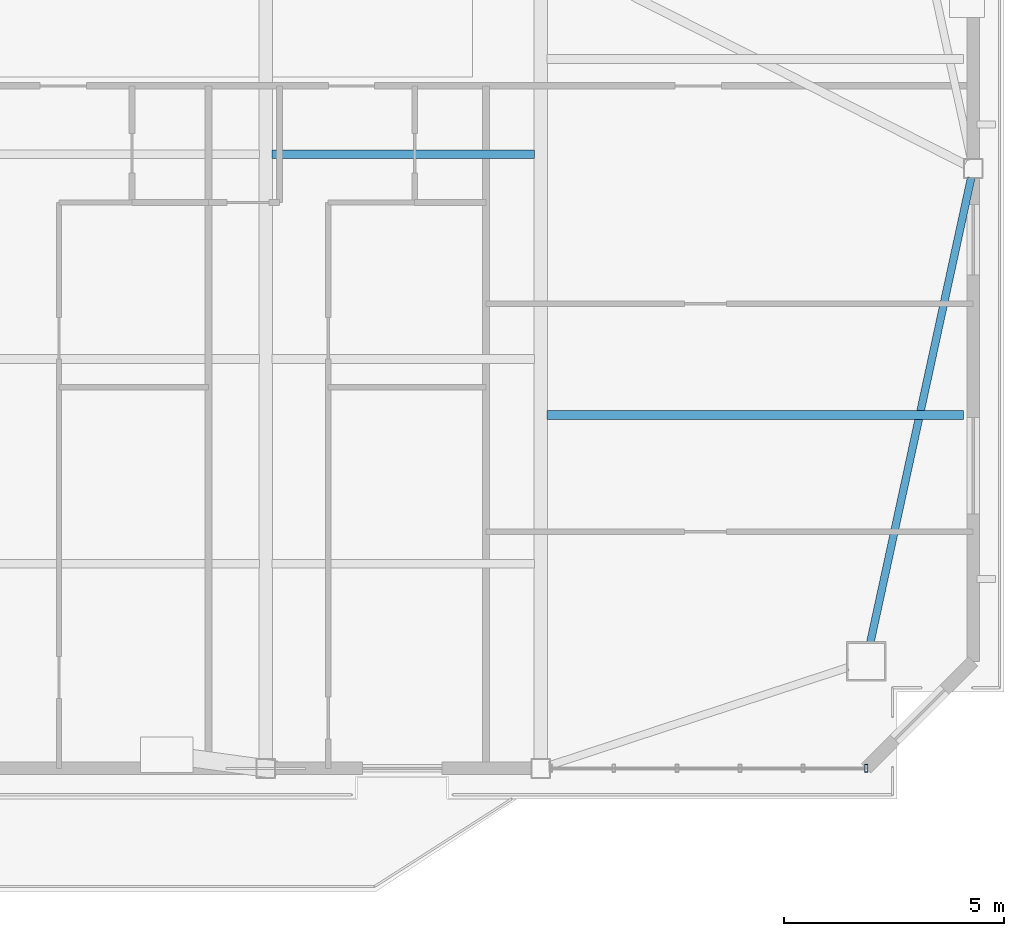
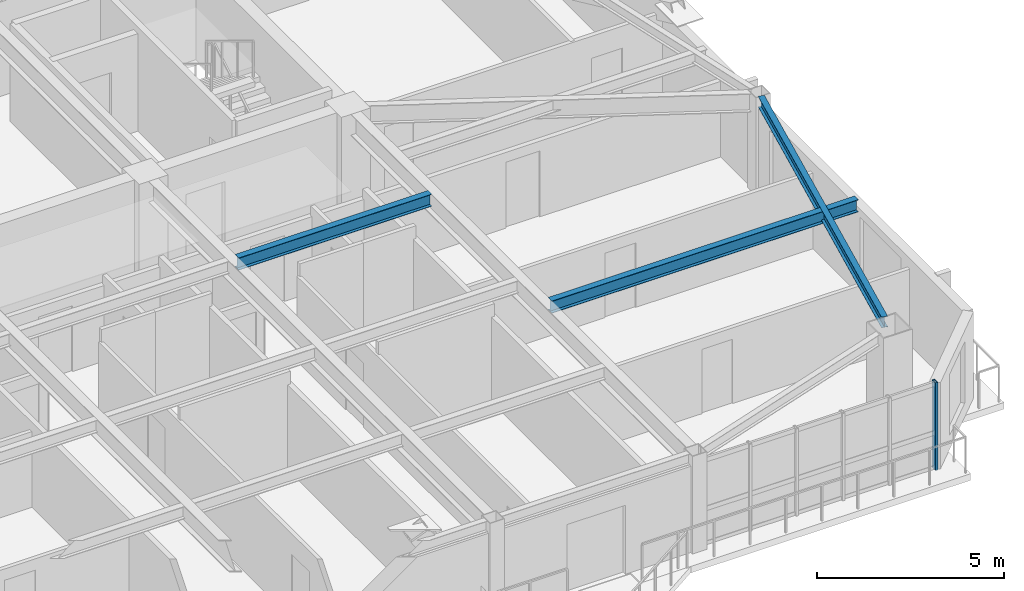
# One storey, part 5 of 15: 3 beams, 1 member, 1 element without a shape of its own.
"""IFC4 building model written with IfcOpenShell, lengths in metres."""

from ifc_helpers import new_model, si_unit, direction, frame, origin, origin_2d, place, context, subcontext, project, spatial, hollow_rectangle, i_section, extrude, source, transform, mapped, material, layer, layer_set, material_profile, profile_set, type_object, element, aggregate, save


model = new_model("IFC4")

# Units and contexts
model_context = context("Model", 3, precision=1e-05, world=origin(), true_north=direction((0.0, 1.0)))
body_context = subcontext(model_context, "Body", "Model", "MODEL_VIEW")
ifc_project = project(units=[si_unit("LENGTHUNIT", "METRE"), si_unit("AREAUNIT", "SQUARE_METRE"), si_unit("VOLUMEUNIT", "CUBIC_METRE"), si_unit("PLANEANGLEUNIT", "RADIAN"), si_unit("MASSUNIT", "GRAM", prefix="KILO")], contexts=[model_context])

# Site, building, storey
site_placement = place(None, origin())
site = spatial("IfcSite", under=ifc_project, at=site_placement, CompositionType="ELEMENT")
building_placement = place(site_placement, origin())
building = spatial("IfcBuilding", under=site, at=building_placement, Name="Giltprow Tower", CompositionType="ELEMENT")
storey_placement = place(building_placement, frame((0.0, 0.0, 293.800048828125)))
storey = spatial("IfcBuildingStorey", under=building, at=storey_placement, Name="L75", CompositionType="ELEMENT", Elevation=293.800048828125)

# Beams
ifc_material_1 = material(Name="Structural steel Q355B", Category="steel")
ifc_material_profile_1 = material_profile(ifc_material_1, i_section(OverallWidth=0.199951171875, OverallDepth=0.39990234375, WebThickness=0.008056640625, FlangeThickness=0.012939453125, at=origin_2d()), Name="HN 400x200x8x13")
ifc_profile_set_1 = profile_set([ifc_material_profile_1], Name="Structural steel Q355B")
beam_type_1 = type_object("IfcBeamType", Name="BM-JOIST-HN400", PredefinedType="JOIST", material=ifc_profile_set_1)
shared_shape_1 = source(origin(), body_context, "Body", "SweptSolid", [
    extrude(i_section(OverallWidth=0.199951171875, OverallDepth=0.39990234375, WebThickness=0.008056640625, FlangeThickness=0.012939453125, at=origin_2d()), origin(), (0.0, 0.0, 1.0), 5.9599609375),
])
beam_1_placement = place(storey_placement, frame((44.445068359375, 32.798095703125, 2.98486328125), z_axis=(1.0, 0.0, 0.0), x_axis=(0.0, 1.0, 0.0)))
element("IfcBeam", 1, at=beam_1_placement, inside=storey, type_object=beam_type_1, Name="L75 Composite Floor Joist 3-4", PredefinedType="JOIST", context=body_context, shape_type="MappedRepresentation", body=[
    mapped(shared_shape_1, transform((0.0, 0.0, 0.0), x_axis=(1.0, 0.0, 0.0), y_axis=(0.0, 1.0, 0.0), z_axis=(0.0, 0.0, 1.0), scale=1.0)),
])
ifc_material_profile_2 = material_profile(ifc_material_1, i_section(OverallWidth=0.175048828125, OverallDepth=0.35009765625, WebThickness=0.007080078125, FlangeThickness=0.010986328125, at=origin_2d()), Name="HN 350x175x7x11")
ifc_profile_set_2 = profile_set([ifc_material_profile_2], Name="Structural steel Q355B")
beam_type_2 = type_object("IfcBeamType", Name="BM-SPAN-HN350", PredefinedType="SPANDREL", material=ifc_profile_set_2)
shared_shape_2 = source(origin(), body_context, "Body", "SweptSolid", [
    extrude(i_section(OverallWidth=0.175048828125, OverallDepth=0.35009765625, WebThickness=0.007080078125, FlangeThickness=0.010986328125, at=origin_2d()), origin(), (0.0, 0.0, 1.0), 10.815185546875),
])
beam_2_placement = place(storey_placement, frame((58.037109375, 21.697021484375, 3.010009765625), z_axis=(0.212104429767, 0.97724700607, 0.0), x_axis=(-0.97724700607, 0.212104429767, 0.0)))
element("IfcBeam", 2, at=beam_2_placement, inside=storey, type_object=beam_type_2, Name="L75 Perimeter Spandrel Beam MC_SE-E_MID", PredefinedType="SPANDREL", context=body_context, shape_type="MappedRepresentation", body=[
    mapped(shared_shape_2, transform((0.0, 0.0, 0.0), x_axis=(1.0, 0.0, 0.0), y_axis=(0.0, 1.0, 0.0), z_axis=(0.0, 0.0, 1.0), scale=1.0)),
])
shared_shape_3 = source(origin(), body_context, "Body", "SweptSolid", [
    extrude(i_section(OverallWidth=0.199951171875, OverallDepth=0.39990234375, WebThickness=0.008056640625, FlangeThickness=0.012939453125, at=origin_2d()), origin(), (0.0, 0.0, 1.0), 9.4609375),
])
beam_3_placement = place(storey_placement, frame((50.695068359375, 26.87109375, 2.98486328125), z_axis=(1.0, 0.0, 0.0), x_axis=(0.0, 1.0, 0.0)))
element("IfcBeam", 3, at=beam_3_placement, inside=storey, type_object=beam_type_1, Name="L75 East Wing Floor Joist 1", PredefinedType="JOIST", context=body_context, shape_type="MappedRepresentation", body=[
    mapped(shared_shape_3, transform((0.0, 0.0, 0.0), x_axis=(1.0, 0.0, 0.0), y_axis=(0.0, 1.0, 0.0), z_axis=(0.0, 0.0, 1.0), scale=1.0)),
])

# Curtain wall, member
ifc_material_2 = material(Name="Anodized bronze", Category="metal")
ifc_layer = layer(ifc_material_2, 0.179931640625, Name="Anodized bronze")
ifc_layer_set = layer_set([ifc_layer], Name="Anodized bronze")
curtain_wall_type = type_object("IfcCurtainWallType", Name="CW-RES-SKY", PredefinedType="NOTDEFINED", material=ifc_layer_set)
curtain_wall_placement = place(storey_placement, origin())
curtain_wall = element("IfcCurtainWall", 4, at=curtain_wall_placement, inside=storey, type_object=curtain_wall_type, Name="L75 South Recessed Curtain Wall 6", PredefinedType="NOTDEFINED")
ifc_material_profile_3 = material_profile(ifc_material_2, hollow_rectangle(XDim=0.074951171875, YDim=0.179931640625, WallThickness=0.008056640625, at=origin_2d()), Name="RHS 180x75x8")
ifc_profile_set_3 = profile_set([ifc_material_profile_3], Name="Anodized bronze")
member_type = type_object("IfcMemberType", Name="CW-MULLION-180x75", PredefinedType="MULLION", material=ifc_profile_set_3)
shared_shape_4 = source(origin(), body_context, "Body", "SweptSolid", [
    extrude(hollow_rectangle(XDim=0.074951171875, YDim=0.179931640625, WallThickness=0.008056640625, at=origin_2d()), origin(), (0.0, 0.0, 1.0), 2.869873046875),
])
member_placement = place(storey_placement, frame((57.945068359375, 18.841064453125, -0.02001953125), z_axis=(0.0, 0.0, 1.0), x_axis=(1.0, 0.0, 0.0)))
member = element("IfcMember", 5, at=member_placement, type_object=member_type, Name="L75 South Recessed Curtain Wall 6 Mullion 6", PredefinedType="MULLION", context=body_context, shape_type="MappedRepresentation", body=[
    mapped(shared_shape_4, transform((0.0, 0.0, 0.0), x_axis=(1.0, 0.0, 0.0), y_axis=(0.0, 1.0, 0.0), z_axis=(0.0, 0.0, 1.0), scale=1.0)),
])
aggregate(curtain_wall, [member])

save(model, "model.ifc")
